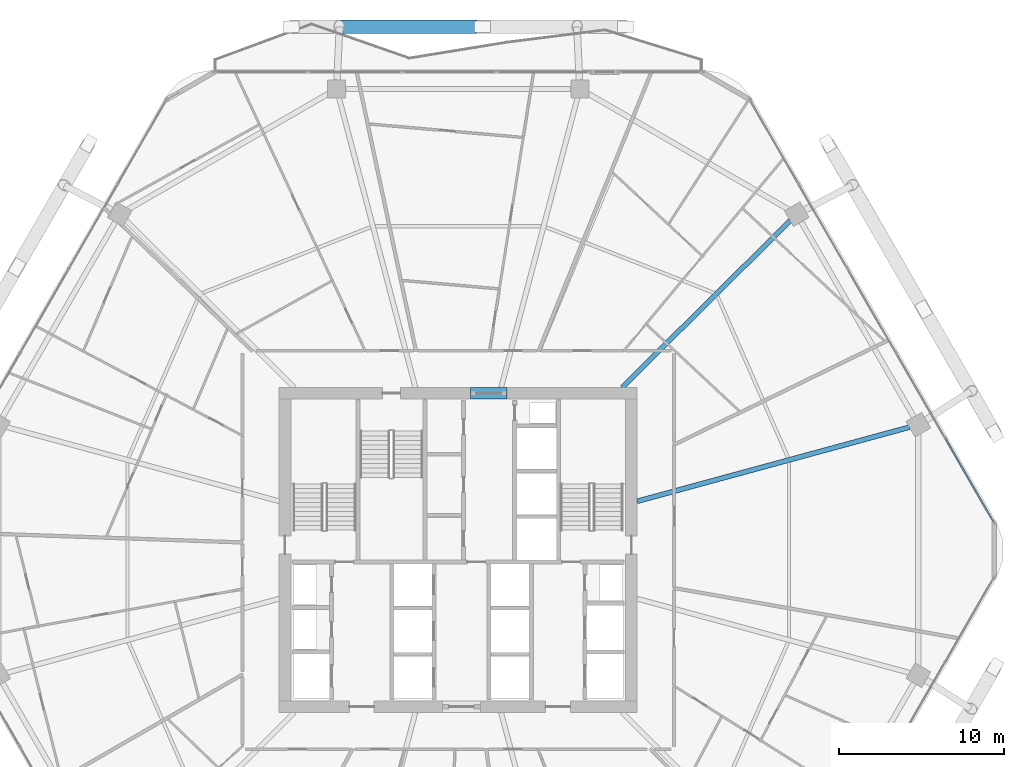
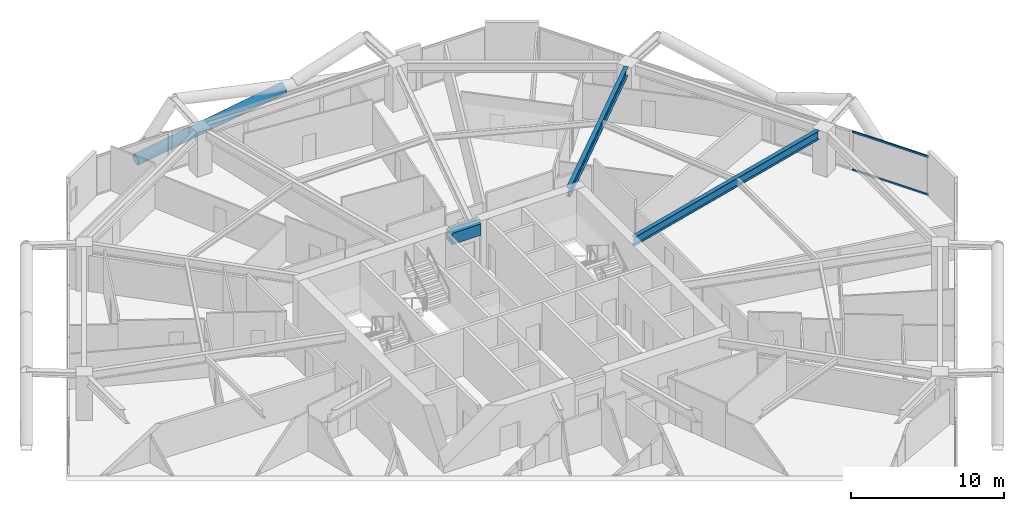
# One storey, part 20 of 35: 3 beams, 3 members, 1 element without a shape of its own.
"""IFC4 building model written with IfcOpenShell, lengths in metres."""

import ifcopenshell
import ifcopenshell.guid

model = None  # the IFC model being written
_history = None  # IfcOwnerHistory: only IFC2X3 demands one
_inside = {}  # id of a spatial element -> (the spatial element, [elements in it])
_under = {}  # id of a project, library or spatial element -> (it, [spatial elements below it])
_declared = {}  # id of a project -> (the project, [libraries it declares])
_typed = {}  # id of a type object -> (the type object, [elements of that type])
_made_of = {}  # id of a material, layer set ... -> (it, [elements and type objects made of it])


def new_model(schema):
    """Start an empty IFC model of exactly this schema.

    Asked for "IFC4X3", IfcOpenShell would pick the latest addendum, in which some entities
    have other attributes; the version numbers below select the first issue.
    IFC2X3 requires an IfcOwnerHistory on every rooted entity: one is made here for all.
    """
    global model, _history
    if schema == "IFC4X3":
        model = ifcopenshell.file(schema_version=(4, 3, 0, 0))
    else:
        model = ifcopenshell.file(schema=schema)
    _inside.clear()
    _under.clear()
    _declared.clear()
    _typed.clear()
    _made_of.clear()
    _history = None
    if model.schema == "IFC2X3":
        org = make("IfcOrganization", Name="unknown")
        user = make(
            "IfcPersonAndOrganization",
            ThePerson=make("IfcPerson", FamilyName="unknown"),
            TheOrganization=org,
        )
        app = make(
            "IfcApplication",
            ApplicationDeveloper=org,
            Version="unknown",
            ApplicationFullName="unknown",
            ApplicationIdentifier="unknown",
        )
        _history = make(
            "IfcOwnerHistory",
            OwningUser=user,
            OwningApplication=app,
            ChangeAction="ADDED",
            CreationDate=0,
        )
    return model


def make(cls, **values):
    """One entity of the class cls with the attributes given. An attribute that is None is left unset."""
    return model.create_entity(
        cls, **{name: value for name, value in values.items() if value is not None}
    )


def rooted(cls, **values):
    """An entity with a GlobalId (a new one), such as an element, a storey or a relation."""
    return make(cls, GlobalId=ifcopenshell.guid.new(), OwnerHistory=_history, **values)


def si_unit(unit_type, name, prefix=None):
    """IfcSIUnit, for example si_unit("LENGTHUNIT", "METRE", prefix="MILLI")."""
    return make("IfcSIUnit", UnitType=unit_type, Prefix=prefix, Name=name)


def assignment(units):
    """IfcUnitAssignment: the units of a project."""
    return None if units is None else make("IfcUnitAssignment", Units=units)


def point(xyz):
    """IfcCartesianPoint."""
    return None if xyz is None else make("IfcCartesianPoint", Coordinates=xyz)


def direction(xyz):
    """IfcDirection."""
    return None if xyz is None else make("IfcDirection", DirectionRatios=xyz)


def frame(location, z_axis=None, x_axis=None):
    """IfcAxis2Placement3D, a coordinate frame: its origin and axes. An axis left out is left unset."""
    return make(
        "IfcAxis2Placement3D",
        Location=point(location),
        Axis=direction(z_axis),
        RefDirection=direction(x_axis),
    )


def frame_2d(location, x_axis=None):
    """IfcAxis2Placement2D, a coordinate frame in the plane: its origin and x axis."""
    return make(
        "IfcAxis2Placement2D", Location=point(location), RefDirection=direction(x_axis)
    )


def origin():
    """The frame at (0, 0, 0) with its axes left unset."""
    return frame((0.0, 0.0, 0.0))


def origin_2d():
    """The frame at (0, 0) in the plane with its x axis left unset."""
    return frame_2d((0.0, 0.0))


def place(relative_to, where):
    """IfcLocalPlacement: puts the frame where relative to a parent placement (None: the world)."""
    return make(
        "IfcLocalPlacement", PlacementRelTo=relative_to, RelativePlacement=where
    )


def context(
    kind, dimensions, precision=None, world=None, true_north=None, identifier=None
):
    """IfcGeometricRepresentationContext, for example the 3D "Model" context."""
    return make(
        "IfcGeometricRepresentationContext",
        ContextIdentifier=identifier,
        ContextType=kind,
        CoordinateSpaceDimension=dimensions,
        Precision=precision,
        WorldCoordinateSystem=world,
        TrueNorth=true_north,
    )


def subcontext(parent, identifier, kind, view, scale=None):
    """IfcGeometricRepresentationSubContext, for example "Body" below "Model"."""
    return make(
        "IfcGeometricRepresentationSubContext",
        ContextIdentifier=identifier,
        ContextType=kind,
        ParentContext=parent,
        TargetScale=scale,
        TargetView=view,
    )


def project(units=None, contexts=None):
    """IfcProject with its units and contexts."""
    return rooted(
        "IfcProject",
        Name="project",
        RepresentationContexts=contexts,
        UnitsInContext=assignment(units),
    )


def spatial(cls, under=None, at=None, **own):
    """A site, building, storey or space (cls), placed at a placement, below another one or the project."""
    s = rooted(cls, ObjectPlacement=at, **own)
    if under is not None:
        _under.setdefault(under.id(), (under, []))[1].append(s)
    return s


def profile(cls, at=None, kind="AREA", **sizes):
    """A parametric profile (cls). Its sizes go by their IFC names, for example OverallWidth=200.0."""
    return make(cls, ProfileType=kind, Position=at, **sizes)


def rectangle(**sizes):
    """IfcRectangleProfileDef."""
    return profile("IfcRectangleProfileDef", **sizes)


def hollow_rectangle(**sizes):
    """IfcRectangleHollowProfileDef."""
    return profile("IfcRectangleHollowProfileDef", **sizes)


def hollow_circle(**sizes):
    """IfcCircleHollowProfileDef."""
    return profile("IfcCircleHollowProfileDef", **sizes)


def i_section(**sizes):
    """IfcIShapeProfileDef."""
    return profile("IfcIShapeProfileDef", **sizes)


def extrude(swept, where, along, depth):
    """IfcExtrudedAreaSolid: the profile swept, set in the frame where, extruded along a direction by depth."""
    return make(
        "IfcExtrudedAreaSolid",
        SweptArea=swept,
        Position=where,
        ExtrudedDirection=direction(along),
        Depth=depth,
    )


def shape(context_of_items, identifier, shape_type, items):
    """IfcShapeRepresentation: the items that make up one representation, for example the "Body"."""
    return make(
        "IfcShapeRepresentation",
        ContextOfItems=context_of_items,
        RepresentationIdentifier=identifier,
        RepresentationType=shape_type,
        Items=items,
    )


def material(Name=None, Category=None):
    """IfcMaterial."""
    return make("IfcMaterial", Name=Name, Category=Category)


def material_profile(
    of_material, cross_section, Name=None, Category=None, Priority=None
):
    """IfcMaterialProfile: a cross section and its material."""
    return make(
        "IfcMaterialProfile",
        Name=Name,
        Material=of_material,
        Profile=cross_section,
        Priority=Priority,
        Category=Category,
    )


def profile_set(profiles, Name=None, composite=None):
    """IfcMaterialProfileSet."""
    return make(
        "IfcMaterialProfileSet",
        Name=Name,
        MaterialProfiles=profiles,
        CompositeProfile=composite,
    )


def made_of(thing, what):
    """Note that an element or type object is made of a material, layer set ...; save() writes the relation."""
    if what is not None:
        _made_of.setdefault(what.id(), (what, []))[1].append(thing)
    return thing


def type_object(cls, material=None, **own):
    """A type object (cls), such as IfcWallType, which elements share."""
    return made_of(rooted(cls, **own), material)


def element(
    cls,
    number,
    at=None,
    inside=None,
    cuts=None,
    type_object=None,
    material=None,
    context=None,
    identifier="Body",
    shape_type=None,
    held_by="IfcProductDefinitionShape",
    body=None,
    shapes=None,
    **own,
):
    """One element of the class cls, such as IfcWall. Its Tag is "e" and its number.

    at: its placement. inside: the storey or other place that contains it. cuts: it is an
    opening in that element (IfcRelVoidsElement). A single representation is given by context,
    identifier, shape_type and body (its items); several are given by shapes. held_by: the class
    of the entity that holds the representations. save() writes the other relations.
    """
    e = rooted(cls, Tag="e%d" % number, ObjectPlacement=at, **own)
    if body is not None:
        shapes = [shape(context, identifier, shape_type, body)]
    if shapes is not None:
        e.Representation = make(held_by, Representations=shapes)
    if inside is not None:
        _inside.setdefault(inside.id(), (inside, []))[1].append(e)
    if cuts is not None:
        rooted(
            "IfcRelVoidsElement", RelatingBuildingElement=cuts, RelatedOpeningElement=e
        )
    if type_object is not None:
        _typed.setdefault(type_object.id(), (type_object, []))[1].append(e)
    return made_of(e, material)


def aggregate(whole, parts):
    """IfcRelAggregates: a whole, such as a stair, and the parts it consists of."""
    return rooted("IfcRelAggregates", RelatingObject=whole, RelatedObjects=parts)


def save(model, path):
    """Write the relations noted so far, then the file.

    IfcRelAggregates (storeys below a building ...), IfcRelContainedInSpatialStructure (elements
    in a storey), IfcRelDefinesByType, IfcRelAssociatesMaterial and IfcRelDeclares: one each for
    every whole, place, type object, material and project.
    """
    for whole, parts in _under.values():
        aggregate(whole, parts)
    for where, things in _inside.values():
        rooted(
            "IfcRelContainedInSpatialStructure",
            RelatedElements=things,
            RelatingStructure=where,
        )
    for kind, things in _typed.values():
        rooted("IfcRelDefinesByType", RelatedObjects=things, RelatingType=kind)
    for what, things in _made_of.values():
        rooted("IfcRelAssociatesMaterial", RelatedObjects=things, RelatingMaterial=what)
    for by, libraries in _declared.values():
        rooted("IfcRelDeclares", RelatingContext=by, RelatedDefinitions=libraries)
    model.write(path)


model = new_model("IFC4")

# Units and contexts
model_context = context("Model", 3, precision=1e-05, world=origin(), true_north=direction((0.0, 1.0)))
body_context = subcontext(model_context, "Body", "Model", "MODEL_VIEW")
ifc_project = project(units=[si_unit("LENGTHUNIT", "METRE"), si_unit("AREAUNIT", "SQUARE_METRE"), si_unit("VOLUMEUNIT", "CUBIC_METRE"), si_unit("PLANEANGLEUNIT", "RADIAN"), si_unit("MASSUNIT", "GRAM", prefix="KILO")], contexts=[model_context])

# Site, building, storey
site_placement = place(None, origin())
site = spatial("IfcSite", under=ifc_project, at=site_placement, CompositionType="ELEMENT")
building_placement = place(site_placement, origin())
building = spatial("IfcBuilding", under=site, at=building_placement, Name="Zuhravey Tower", CompositionType="ELEMENT")
storey_placement = place(building_placement, frame((0.0, 0.0, 138.0)))
storey = spatial("IfcBuildingStorey", under=building, at=storey_placement, Name="L34", CompositionType="ELEMENT", Elevation=138.0)

# Beam
ifc_material_1 = material(Name="Concrete C60/75", Category="concrete")
ifc_material_profile_1 = material_profile(ifc_material_1, rectangle(XDim=0.699951171875, YDim=0.89990234375, at=origin_2d()), Name="RC-700x900")
ifc_profile_set_1 = profile_set([ifc_material_profile_1], Name="Concrete C60/75")
beam_type_1 = type_object("IfcBeamType", Name="Core Coupling Beam RC700x900", PredefinedType="LINTEL", material=ifc_profile_set_1)
beam_1_placement = place(storey_placement, frame((36.751953125, 41.5, 3.10009765625), z_axis=(1.0, 0.0, 0.0), x_axis=(0.0, 1.0, 0.0)))
element("IfcBeam", 1, at=beam_1_placement, inside=storey, type_object=beam_type_1, Name="L34 CB1 BM-L34-CB-N", PredefinedType="LINTEL", context=body_context, shape_type="SweptSolid", body=[
    extrude(rectangle(XDim=0.699951171875, YDim=0.89990234375, at=origin_2d()), origin(), (0.0, 0.0, 1.0), 2.196044921875),
])

# Curtain wall, members
ifc_material_2 = material(Name="Thermally broken anodised aluminium", Category="aluminium")
curtain_wall_type = type_object("IfcCurtainWallType", Name="Zone 1-2 Residential Curtain Wall CW3", PredefinedType="NOTDEFINED", material=ifc_material_2)
curtain_wall_placement = place(storey_placement, origin())
curtain_wall = element("IfcCurtainWall", 2, at=curtain_wall_placement, inside=storey, type_object=curtain_wall_type, Name="L34 CW3 CW-L34-F1-1", PredefinedType="NOTDEFINED")
ifc_material_3 = material(Name="Anodised aluminium", Category="aluminium")
ifc_material_profile_2 = material_profile(ifc_material_3, hollow_rectangle(XDim=0.090087890625, YDim=0.14990234375, WallThickness=0.0048828125, at=origin_2d()), Name="ALU-RHS-90x150x5")
ifc_profile_set_2 = profile_set([ifc_material_profile_2], Name="Anodised aluminium")
member_type_1 = type_object("IfcMemberType", Name="Curtain-Wall Transom 90x150", PredefinedType="USERDEFINED", material=ifc_profile_set_2)
member_1_placement = place(storey_placement, frame((65.541015625, 38.750244140625, 0.044921875), z_axis=(0.500024450573, -0.866011286779, 0.0), x_axis=(0.866011286779, 0.500024450573, 0.0)))
member_1 = element("IfcMember", 3, at=member_1_placement, type_object=member_type_1, Name="CW3 transom 5.1", ObjectType="TRANSOM", PredefinedType="USERDEFINED", context=body_context, shape_type="SweptSolid", body=[
    extrude(hollow_rectangle(XDim=0.090087890625, YDim=0.14990234375, WallThickness=0.0048828125, at=origin_2d()), origin(), (0.0, 0.0, 1.0), 5.784912109375),
])
member_2_placement = place(storey_placement, frame((65.541015625, 38.750244140625, 3.076904296875), z_axis=(0.500024450573, -0.866011286779, 0.0), x_axis=(0.866011286779, 0.500024450573, 0.0)))
member_2 = element("IfcMember", 4, at=member_2_placement, type_object=member_type_1, Name="CW3 transom 5.2", ObjectType="TRANSOM", PredefinedType="USERDEFINED", context=body_context, shape_type="SweptSolid", body=[
    extrude(hollow_rectangle(XDim=0.090087890625, YDim=0.14990234375, WallThickness=0.0048828125, at=origin_2d()), origin(), (0.0, 0.0, 1.0), 5.784912109375),
])
aggregate(curtain_wall, [member_1, member_2])

# Member
ifc_material_4 = material(Name="Steel SM460", Category="steel")
ifc_material_profile_3 = material_profile(ifc_material_4, hollow_circle(Radius=0.406494140625, WallThickness=0.035888671875, at=origin_2d()), Name="CHS-812.8x36")
ifc_profile_set_3 = profile_set([ifc_material_profile_3], Name="Steel SM460")
member_type_2 = type_object("IfcMemberType", Name="Exoskeleton Zone 1 Diagrid CHS813x36", PredefinedType="BRACE", material=ifc_profile_set_3)
member_3_placement = place(storey_placement, frame((25.935546875, 63.718505859375, -0.4521484375), z_axis=(0.986867127399, 0.0, 0.161534122893), x_axis=(0.0, 1.0, 0.0)))
element("IfcMember", 5, at=member_3_placement, inside=storey, type_object=member_type_2, Name="L34 Face 2 Split Diagrid Brace 3A", PredefinedType="BRACE", context=body_context, shape_type="SweptSolid", body=[
    extrude(hollow_circle(Radius=0.406494140625, WallThickness=0.035888671875, at=origin_2d()), origin(), (0.0, 0.0, 1.0), 11.29296875),
])

# Beams
ifc_material_5 = material(Name="Steel SM355", Category="steel")
ifc_material_profile_4 = material_profile(ifc_material_5, i_section(OverallWidth=0.300048828125, OverallDepth=0.699951171875, WebThickness=0.012939453125, FlangeThickness=0.02392578125, at=origin_2d()), Name="H-700x300x13x24")
ifc_profile_set_4 = profile_set([ifc_material_profile_4], Name="Steel SM355")
beam_type_2 = type_object("IfcBeamType", Name="Radial Primary Girder H700x300", PredefinedType="BEAM", material=ifc_profile_set_4)
beam_2_placement = place(storey_placement, frame((46.85302734375, 34.954345703125, 3.199951171875), z_axis=(0.964893166225, 0.262642680791, 0.0), x_axis=(-0.262642680791, 0.964893166225, 0.0)))
element("IfcBeam", 6, at=beam_2_placement, inside=storey, type_object=beam_type_2, Name="L34 RG1 BM-L34-RAD-01", PredefinedType="BEAM", context=body_context, shape_type="SweptSolid", body=[
    extrude(i_section(OverallWidth=0.300048828125, OverallDepth=0.699951171875, WebThickness=0.012939453125, FlangeThickness=0.02392578125, at=origin_2d()), origin(), (0.0, 0.0, 1.0), 17.102783203125),
])
beam_3_placement = place(storey_placement, frame((45.931396484375, 41.85302734375, 3.199951171875), z_axis=(0.709906230344, 0.704296204816, 0.0), x_axis=(-0.704296204816, 0.709906230344, 0.0)))
element("IfcBeam", 7, at=beam_3_placement, inside=storey, type_object=beam_type_2, Name="L34 RG1 BM-L34-RAD-02", PredefinedType="BEAM", context=body_context, shape_type="SweptSolid", body=[
    extrude(i_section(OverallWidth=0.300048828125, OverallDepth=0.699951171875, WebThickness=0.012939453125, FlangeThickness=0.02392578125, at=origin_2d()), origin(), (0.0, 0.0, 1.0), 14.361083984375),
])

save(model, "model.ifc")
